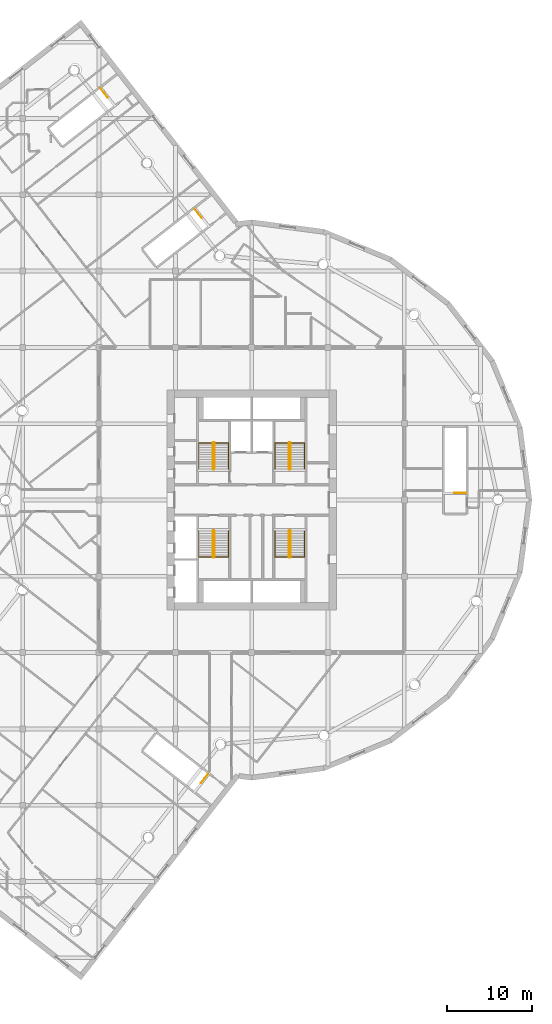
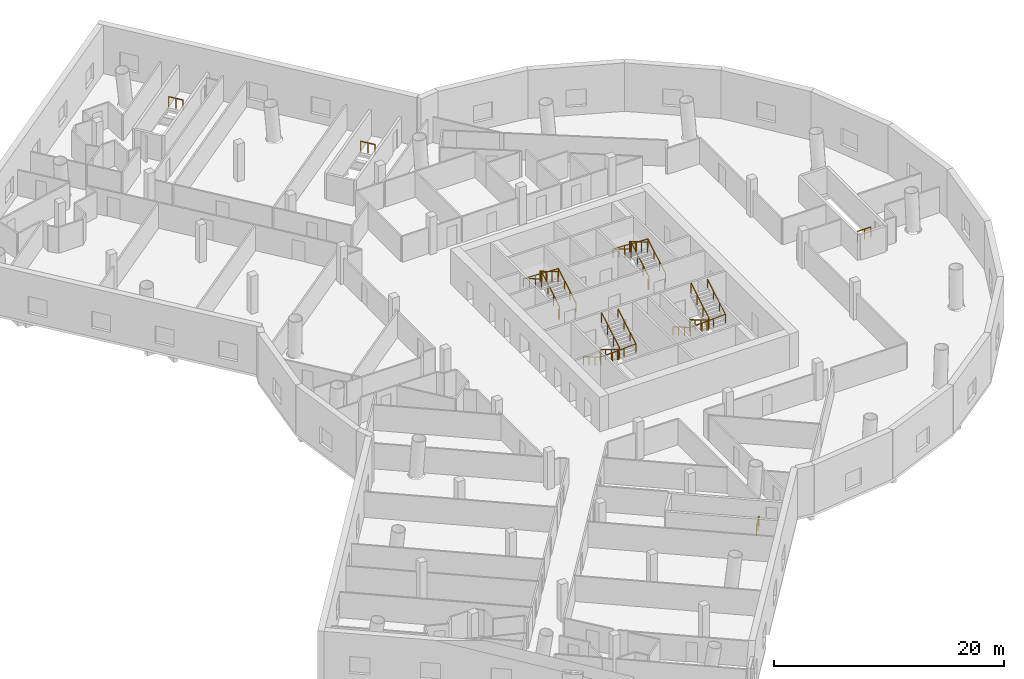
# One storey, part 15 of 15: 12 railings.
"""IFC4 building model written with IfcOpenShell, lengths in metres."""

from ifc_helpers import new_model, si_unit, direction, frame, origin, origin_2d, place, context, subcontext, project, spatial, circle, extrude, material, type_object, element, save


model = new_model("IFC4")

# Units and contexts
model_context = context("Model", 3, precision=1e-05, world=origin(), true_north=direction((0.0, 1.0)))
body_context = subcontext(model_context, "Body", "Model", "MODEL_VIEW")
ifc_project = project(units=[si_unit("LENGTHUNIT", "METRE"), si_unit("AREAUNIT", "SQUARE_METRE"), si_unit("VOLUMEUNIT", "CUBIC_METRE"), si_unit("PLANEANGLEUNIT", "RADIAN"), si_unit("MASSUNIT", "GRAM", prefix="KILO")], contexts=[model_context])

# Site, building, storey
site_placement = place(None, origin())
site = spatial("IfcSite", under=ifc_project, at=site_placement, CompositionType="ELEMENT")
building_placement = place(site_placement, origin())
building = spatial("IfcBuilding", under=site, at=building_placement, Name="Tarsis Ring Headquarters", CompositionType="ELEMENT")
storey_placement = place(building_placement, frame((0.0, 0.0, 30.0)))
storey = spatial("IfcBuildingStorey", under=building, at=storey_placement, Name="L05", CompositionType="ELEMENT", Elevation=30.0)

# Railings
ifc_material_1 = material(Name="Steel S355", Category="steel")
railing_type_1 = type_object("IfcRailingType", Name="Core stair guard 1100", PredefinedType="GUARDRAIL", material=ifc_material_1)
railing_1_placement = place(storey_placement, frame((-4.5400390625, 3.610107421875, 0.0)))
element("IfcRailing", 1, at=railing_1_placement, inside=storey, type_object=railing_type_1, Name="L05 ST1 stair guard 1", PredefinedType="GUARDRAIL", context=body_context, shape_type="SweptSolid", body=[
    extrude(circle(Radius=0.02392578125, at=origin_2d()), frame((0.0, 0.0, 1.076171875), z_axis=(1.0, 0.0, 0.0), x_axis=(0.0, 1.0, 0.0)), (0.0, 0.0, 1.0), 0.080078125),
    extrude(circle(Radius=0.02392578125, at=origin_2d()), frame((0.080078125, 0.0, 1.076171875), z_axis=(0.276389281352, 0.275041040955, 0.920848191041), x_axis=(-0.705375805398, 0.708833529934, 0.0)), (0.0, 0.0, 1.0), 0.18115234375),
    extrude(circle(Radius=0.02392578125, at=origin_2d()), frame((0.130126953125, 0.0498046875, 1.24267578125), z_axis=(0.0, 0.859308565015, 0.511457515432), x_axis=(-1.0, 0.0, 0.0)), (0.0, 0.0, 1.0), 3.58447265625),
    extrude(circle(Radius=0.02392578125, at=origin_2d()), frame((0.130126953125, 3.1298828125, 3.076171875), z_axis=(-0.707106781187, 0.707106781187, 0.0), x_axis=(-0.707106781187, -0.707106781187, 0.0)), (0.0, 0.0, 1.0), 0.07080078125),
    extrude(circle(Radius=0.02392578125, at=origin_2d()), frame((0.080078125, 3.179931640625, 3.076171875), z_axis=(-1.0, 0.0, 0.0), x_axis=(0.0, -1.0, 0.0)), (0.0, 0.0, 1.0), 0.080078125),
    extrude(circle(Radius=0.02392578125, at=origin_2d()), frame((0.0, 3.179931640625, 3.076171875), z_axis=(-0.27628659633, -0.27628659633, 0.920506074601), x_axis=(0.707106781187, -0.707106781187, 0.0)), (0.0, 0.0, 1.0), 0.18115234375),
    extrude(circle(Radius=0.02392578125, at=origin_2d()), frame((-0.050048828125, 3.1298828125, 3.24267578125), z_axis=(0.0, -0.859308565015, 0.511457515432), x_axis=(1.0, 0.0, 0.0)), (0.0, 0.0, 1.0), 3.58447265625),
    extrude(circle(Radius=0.02099609375, at=origin_2d()), origin(), (0.0, 0.0, 1.0), 1.052001953125),
    extrude(circle(Radius=0.02099609375, at=origin_2d()), frame((0.080078125, 0.0, 0.0)), (0.0, 0.0, 1.0), 1.052001953125),
    extrude(circle(Radius=0.02099609375, at=origin_2d()), frame((0.130126953125, 0.0498046875, 0.166748046875)), (0.0, 0.0, 1.0), 1.052001953125),
    extrude(circle(Radius=0.02099609375, at=origin_2d()), frame((0.130126953125, 1.076416015625, 0.77783203125)), (0.0, 0.0, 1.0), 1.052001953125),
    extrude(circle(Radius=0.02099609375, at=origin_2d()), frame((0.130126953125, 2.103271484375, 1.388916015625)), (0.0, 0.0, 1.0), 1.052001953125),
    extrude(circle(Radius=0.02099609375, at=origin_2d()), frame((0.130126953125, 3.1298828125, 2.0)), (0.0, 0.0, 1.0), 1.052001953125),
    extrude(circle(Radius=0.02099609375, at=origin_2d()), frame((0.080078125, 3.179931640625, 2.0)), (0.0, 0.0, 1.0), 1.052001953125),
    extrude(circle(Radius=0.02099609375, at=origin_2d()), frame((0.0, 3.179931640625, 2.0)), (0.0, 0.0, 1.0), 1.052001953125),
    extrude(circle(Radius=0.02099609375, at=origin_2d()), frame((-0.050048828125, 3.1298828125, 2.166748046875)), (0.0, 0.0, 1.0), 1.052001953125),
    extrude(circle(Radius=0.02099609375, at=origin_2d()), frame((-0.050048828125, 2.103271484375, 2.77783203125)), (0.0, 0.0, 1.0), 1.052001953125),
    extrude(circle(Radius=0.02099609375, at=origin_2d()), frame((-0.050048828125, 1.076416015625, 3.388916015625)), (0.0, 0.0, 1.0), 1.052001953125),
    extrude(circle(Radius=0.02099609375, at=origin_2d()), frame((-0.050048828125, 0.0498046875, 4.0)), (0.0, 0.0, 1.0), 1.052001953125),
])
railing_2_placement = place(storey_placement, frame((4.4599609375, 3.610107421875, 0.0)))
element("IfcRailing", 2, at=railing_2_placement, inside=storey, type_object=railing_type_1, Name="L05 ST2 stair guard 1", PredefinedType="GUARDRAIL", context=body_context, shape_type="SweptSolid", body=[
    extrude(circle(Radius=0.02392578125, at=origin_2d()), frame((0.0, 0.0, 1.076171875), z_axis=(1.0, 0.0, 0.0), x_axis=(0.0, 1.0, 0.0)), (0.0, 0.0, 1.0), 0.080078125),
    extrude(circle(Radius=0.02392578125, at=origin_2d()), frame((0.080078125, 0.0, 1.076171875), z_axis=(0.276389281352, 0.275041040955, 0.920848191041), x_axis=(-0.705375805398, 0.708833529934, 0.0)), (0.0, 0.0, 1.0), 0.18115234375),
    extrude(circle(Radius=0.02392578125, at=origin_2d()), frame((0.130126953125, 0.0498046875, 1.24267578125), z_axis=(0.0, 0.859308565015, 0.511457515432), x_axis=(-1.0, 0.0, 0.0)), (0.0, 0.0, 1.0), 3.58447265625),
    extrude(circle(Radius=0.02392578125, at=origin_2d()), frame((0.130126953125, 3.1298828125, 3.076171875), z_axis=(-0.707106781187, 0.707106781187, 0.0), x_axis=(-0.707106781187, -0.707106781187, 0.0)), (0.0, 0.0, 1.0), 0.07080078125),
    extrude(circle(Radius=0.02392578125, at=origin_2d()), frame((0.080078125, 3.179931640625, 3.076171875), z_axis=(-1.0, 0.0, 0.0), x_axis=(0.0, -1.0, 0.0)), (0.0, 0.0, 1.0), 0.080078125),
    extrude(circle(Radius=0.02392578125, at=origin_2d()), frame((0.0, 3.179931640625, 3.076171875), z_axis=(-0.27628659633, -0.27628659633, 0.920506074601), x_axis=(0.707106781187, -0.707106781187, 0.0)), (0.0, 0.0, 1.0), 0.18115234375),
    extrude(circle(Radius=0.02392578125, at=origin_2d()), frame((-0.050048828125, 3.1298828125, 3.24267578125), z_axis=(0.0, -0.859308565015, 0.511457515432), x_axis=(1.0, 0.0, 0.0)), (0.0, 0.0, 1.0), 3.58447265625),
    extrude(circle(Radius=0.02099609375, at=origin_2d()), origin(), (0.0, 0.0, 1.0), 1.052001953125),
    extrude(circle(Radius=0.02099609375, at=origin_2d()), frame((0.080078125, 0.0, 0.0)), (0.0, 0.0, 1.0), 1.052001953125),
    extrude(circle(Radius=0.02099609375, at=origin_2d()), frame((0.130126953125, 0.0498046875, 0.166748046875)), (0.0, 0.0, 1.0), 1.052001953125),
    extrude(circle(Radius=0.02099609375, at=origin_2d()), frame((0.130126953125, 1.076416015625, 0.77783203125)), (0.0, 0.0, 1.0), 1.052001953125),
    extrude(circle(Radius=0.02099609375, at=origin_2d()), frame((0.130126953125, 2.103271484375, 1.388916015625)), (0.0, 0.0, 1.0), 1.052001953125),
    extrude(circle(Radius=0.02099609375, at=origin_2d()), frame((0.130126953125, 3.1298828125, 2.0)), (0.0, 0.0, 1.0), 1.052001953125),
    extrude(circle(Radius=0.02099609375, at=origin_2d()), frame((0.080078125, 3.179931640625, 2.0)), (0.0, 0.0, 1.0), 1.052001953125),
    extrude(circle(Radius=0.02099609375, at=origin_2d()), frame((0.0, 3.179931640625, 2.0)), (0.0, 0.0, 1.0), 1.052001953125),
    extrude(circle(Radius=0.02099609375, at=origin_2d()), frame((-0.050048828125, 3.1298828125, 2.166748046875)), (0.0, 0.0, 1.0), 1.052001953125),
    extrude(circle(Radius=0.02099609375, at=origin_2d()), frame((-0.050048828125, 2.103271484375, 2.77783203125)), (0.0, 0.0, 1.0), 1.052001953125),
    extrude(circle(Radius=0.02099609375, at=origin_2d()), frame((-0.050048828125, 1.076416015625, 3.388916015625)), (0.0, 0.0, 1.0), 1.052001953125),
    extrude(circle(Radius=0.02099609375, at=origin_2d()), frame((-0.050048828125, 0.0498046875, 4.0)), (0.0, 0.0, 1.0), 1.052001953125),
])
railing_3_placement = place(storey_placement, frame((-4.4599609375, -3.610107421875, 0.0)))
element("IfcRailing", 3, at=railing_3_placement, inside=storey, type_object=railing_type_1, Name="L05 ST3 stair guard 1", PredefinedType="GUARDRAIL", context=body_context, shape_type="SweptSolid", body=[
    extrude(circle(Radius=0.02392578125, at=origin_2d()), frame((0.0, 0.0, 1.076171875), z_axis=(-1.0, 0.0, 0.0), x_axis=(0.0, -1.0, 0.0)), (0.0, 0.0, 1.0), 0.080078125),
    extrude(circle(Radius=0.02392578125, at=origin_2d()), frame((-0.080078125, 0.0, 1.076171875), z_axis=(-0.276389281352, -0.275041040955, 0.920848191041), x_axis=(0.705375805398, -0.708833529934, 0.0)), (0.0, 0.0, 1.0), 0.18115234375),
    extrude(circle(Radius=0.02392578125, at=origin_2d()), frame((-0.130126953125, -0.0498046875, 1.24267578125), z_axis=(0.0, -0.859308565015, 0.511457515432), x_axis=(1.0, 0.0, 0.0)), (0.0, 0.0, 1.0), 3.58447265625),
    extrude(circle(Radius=0.02392578125, at=origin_2d()), frame((-0.130126953125, -3.1298828125, 3.076171875), z_axis=(0.707106781187, -0.707106781187, 0.0), x_axis=(0.707106781187, 0.707106781187, 0.0)), (0.0, 0.0, 1.0), 0.07080078125),
    extrude(circle(Radius=0.02392578125, at=origin_2d()), frame((-0.080078125, -3.179931640625, 3.076171875), z_axis=(1.0, 0.0, 0.0), x_axis=(0.0, 1.0, 0.0)), (0.0, 0.0, 1.0), 0.080078125),
    extrude(circle(Radius=0.02392578125, at=origin_2d()), frame((0.0, -3.179931640625, 3.076171875), z_axis=(0.27628659633, 0.27628659633, 0.920506074601), x_axis=(-0.707106781187, 0.707106781187, 0.0)), (0.0, 0.0, 1.0), 0.18115234375),
    extrude(circle(Radius=0.02392578125, at=origin_2d()), frame((0.050048828125, -3.1298828125, 3.24267578125), z_axis=(0.0, 0.859308565015, 0.511457515432), x_axis=(-1.0, 0.0, 0.0)), (0.0, 0.0, 1.0), 3.58447265625),
    extrude(circle(Radius=0.02099609375, at=origin_2d()), origin(), (0.0, 0.0, 1.0), 1.052001953125),
    extrude(circle(Radius=0.02099609375, at=origin_2d()), frame((-0.080078125, 0.0, 0.0)), (0.0, 0.0, 1.0), 1.052001953125),
    extrude(circle(Radius=0.02099609375, at=origin_2d()), frame((-0.130126953125, -0.0498046875, 0.166748046875)), (0.0, 0.0, 1.0), 1.052001953125),
    extrude(circle(Radius=0.02099609375, at=origin_2d()), frame((-0.130126953125, -1.076416015625, 0.77783203125)), (0.0, 0.0, 1.0), 1.052001953125),
    extrude(circle(Radius=0.02099609375, at=origin_2d()), frame((-0.130126953125, -2.103271484375, 1.388916015625)), (0.0, 0.0, 1.0), 1.052001953125),
    extrude(circle(Radius=0.02099609375, at=origin_2d()), frame((-0.130126953125, -3.1298828125, 2.0)), (0.0, 0.0, 1.0), 1.052001953125),
    extrude(circle(Radius=0.02099609375, at=origin_2d()), frame((-0.080078125, -3.179931640625, 2.0)), (0.0, 0.0, 1.0), 1.052001953125),
    extrude(circle(Radius=0.02099609375, at=origin_2d()), frame((0.0, -3.179931640625, 2.0)), (0.0, 0.0, 1.0), 1.052001953125),
    extrude(circle(Radius=0.02099609375, at=origin_2d()), frame((0.050048828125, -3.1298828125, 2.166748046875)), (0.0, 0.0, 1.0), 1.052001953125),
    extrude(circle(Radius=0.02099609375, at=origin_2d()), frame((0.050048828125, -2.103271484375, 2.77783203125)), (0.0, 0.0, 1.0), 1.052001953125),
    extrude(circle(Radius=0.02099609375, at=origin_2d()), frame((0.050048828125, -1.076416015625, 3.388916015625)), (0.0, 0.0, 1.0), 1.052001953125),
    extrude(circle(Radius=0.02099609375, at=origin_2d()), frame((0.050048828125, -0.0498046875, 4.0)), (0.0, 0.0, 1.0), 1.052001953125),
])
railing_4_placement = place(storey_placement, frame((4.5400390625, -3.610107421875, 0.0)))
element("IfcRailing", 4, at=railing_4_placement, inside=storey, type_object=railing_type_1, Name="L05 ST4 stair guard 1", PredefinedType="GUARDRAIL", context=body_context, shape_type="SweptSolid", body=[
    extrude(circle(Radius=0.02392578125, at=origin_2d()), frame((0.0, 0.0, 1.076171875), z_axis=(-1.0, 0.0, 0.0), x_axis=(0.0, -1.0, 0.0)), (0.0, 0.0, 1.0), 0.080078125),
    extrude(circle(Radius=0.02392578125, at=origin_2d()), frame((-0.080078125, 0.0, 1.076171875), z_axis=(-0.276389281352, -0.275041040955, 0.920848191041), x_axis=(0.705375805398, -0.708833529934, 0.0)), (0.0, 0.0, 1.0), 0.18115234375),
    extrude(circle(Radius=0.02392578125, at=origin_2d()), frame((-0.130126953125, -0.0498046875, 1.24267578125), z_axis=(0.0, -0.859308565015, 0.511457515432), x_axis=(1.0, 0.0, 0.0)), (0.0, 0.0, 1.0), 3.58447265625),
    extrude(circle(Radius=0.02392578125, at=origin_2d()), frame((-0.130126953125, -3.1298828125, 3.076171875), z_axis=(0.707106781187, -0.707106781187, 0.0), x_axis=(0.707106781187, 0.707106781187, 0.0)), (0.0, 0.0, 1.0), 0.07080078125),
    extrude(circle(Radius=0.02392578125, at=origin_2d()), frame((-0.080078125, -3.179931640625, 3.076171875), z_axis=(1.0, 0.0, 0.0), x_axis=(0.0, 1.0, 0.0)), (0.0, 0.0, 1.0), 0.080078125),
    extrude(circle(Radius=0.02392578125, at=origin_2d()), frame((0.0, -3.179931640625, 3.076171875), z_axis=(0.27628659633, 0.27628659633, 0.920506074601), x_axis=(-0.707106781187, 0.707106781187, 0.0)), (0.0, 0.0, 1.0), 0.18115234375),
    extrude(circle(Radius=0.02392578125, at=origin_2d()), frame((0.050048828125, -3.1298828125, 3.24267578125), z_axis=(0.0, 0.859308565015, 0.511457515432), x_axis=(-1.0, 0.0, 0.0)), (0.0, 0.0, 1.0), 3.58447265625),
    extrude(circle(Radius=0.02099609375, at=origin_2d()), origin(), (0.0, 0.0, 1.0), 1.052001953125),
    extrude(circle(Radius=0.02099609375, at=origin_2d()), frame((-0.080078125, 0.0, 0.0)), (0.0, 0.0, 1.0), 1.052001953125),
    extrude(circle(Radius=0.02099609375, at=origin_2d()), frame((-0.130126953125, -0.0498046875, 0.166748046875)), (0.0, 0.0, 1.0), 1.052001953125),
    extrude(circle(Radius=0.02099609375, at=origin_2d()), frame((-0.130126953125, -1.076416015625, 0.77783203125)), (0.0, 0.0, 1.0), 1.052001953125),
    extrude(circle(Radius=0.02099609375, at=origin_2d()), frame((-0.130126953125, -2.103271484375, 1.388916015625)), (0.0, 0.0, 1.0), 1.052001953125),
    extrude(circle(Radius=0.02099609375, at=origin_2d()), frame((-0.130126953125, -3.1298828125, 2.0)), (0.0, 0.0, 1.0), 1.052001953125),
    extrude(circle(Radius=0.02099609375, at=origin_2d()), frame((-0.080078125, -3.179931640625, 2.0)), (0.0, 0.0, 1.0), 1.052001953125),
    extrude(circle(Radius=0.02099609375, at=origin_2d()), frame((0.0, -3.179931640625, 2.0)), (0.0, 0.0, 1.0), 1.052001953125),
    extrude(circle(Radius=0.02099609375, at=origin_2d()), frame((0.050048828125, -3.1298828125, 2.166748046875)), (0.0, 0.0, 1.0), 1.052001953125),
    extrude(circle(Radius=0.02099609375, at=origin_2d()), frame((0.050048828125, -2.103271484375, 2.77783203125)), (0.0, 0.0, 1.0), 1.052001953125),
    extrude(circle(Radius=0.02099609375, at=origin_2d()), frame((0.050048828125, -1.076416015625, 3.388916015625)), (0.0, 0.0, 1.0), 1.052001953125),
    extrude(circle(Radius=0.02099609375, at=origin_2d()), frame((0.050048828125, -0.0498046875, 4.0)), (0.0, 0.0, 1.0), 1.052001953125),
])
railing_type_2 = type_object("IfcRailingType", Name="Core stair handrail 900", PredefinedType="HANDRAIL", material=ifc_material_1)
railing_5_placement = place(storey_placement, frame((-2.75, 3.659912109375, 0.166748046875)))
element("IfcRailing", 5, at=railing_5_placement, inside=storey, type_object=railing_type_2, Name="L05 ST1 stair handrail 1", PredefinedType="HANDRAIL", context=body_context, shape_type="SweptSolid", body=[
    extrude(circle(Radius=0.02392578125, at=origin_2d()), frame((0.0, 0.0, 0.8759765625), z_axis=(0.0, 0.859308565015, 0.511457515432), x_axis=(-1.0, 0.0, 0.0)), (0.0, 0.0, 1.0), 3.58447265625),
    extrude(circle(Radius=0.02392578125, at=origin_2d()), frame((0.0, 3.080078125, 2.708984375), z_axis=(-0.998867033999, 0.0, 0.047588322002), x_axis=(0.0, -1.0, 0.0)), (0.0, 0.0, 1.0), 3.50390625),
    extrude(circle(Radius=0.02392578125, at=origin_2d()), frame((-3.5, 3.080078125, 2.8759765625), z_axis=(0.0, -0.859308565015, 0.511457515432), x_axis=(1.0, 0.0, 0.0)), (0.0, 0.0, 1.0), 3.58447265625),
    extrude(circle(Radius=0.02099609375, at=origin_2d()), origin(), (0.0, 0.0, 1.0), 0.851806640625),
    extrude(circle(Radius=0.02099609375, at=origin_2d()), frame((0.0, 1.026611328125, 0.611083984375)), (0.0, 0.0, 1.0), 0.851806640625),
    extrude(circle(Radius=0.02099609375, at=origin_2d()), frame((0.0, 2.053466796875, 1.22216796875)), (0.0, 0.0, 1.0), 0.851806640625),
    extrude(circle(Radius=0.02099609375, at=origin_2d()), frame((0.0, 3.080078125, 1.833251953125)), (0.0, 0.0, 1.0), 0.851806640625),
    extrude(circle(Radius=0.02099609375, at=origin_2d()), frame((-1.166748046875, 3.080078125, 1.888916015625)), (0.0, 0.0, 1.0), 0.851806640625),
    extrude(circle(Radius=0.02099609375, at=origin_2d()), frame((-2.333251953125, 3.080078125, 1.9443359375)), (0.0, 0.0, 1.0), 0.851806640625),
    extrude(circle(Radius=0.02099609375, at=origin_2d()), frame((-3.5, 3.080078125, 2.0)), (0.0, 0.0, 1.0), 0.851806640625),
    extrude(circle(Radius=0.02099609375, at=origin_2d()), frame((-3.5, 2.053466796875, 2.611083984375)), (0.0, 0.0, 1.0), 0.851806640625),
    extrude(circle(Radius=0.02099609375, at=origin_2d()), frame((-3.5, 1.026611328125, 3.22216796875)), (0.0, 0.0, 1.0), 0.851806640625),
    extrude(circle(Radius=0.02099609375, at=origin_2d()), frame((-3.5, 0.0, 3.833251953125)), (0.0, 0.0, 1.0), 0.851806640625),
])
railing_6_placement = place(storey_placement, frame((6.25, 3.659912109375, 0.166748046875)))
element("IfcRailing", 6, at=railing_6_placement, inside=storey, type_object=railing_type_2, Name="L05 ST2 stair handrail 1", PredefinedType="HANDRAIL", context=body_context, shape_type="SweptSolid", body=[
    extrude(circle(Radius=0.02392578125, at=origin_2d()), frame((0.0, 0.0, 0.8759765625), z_axis=(0.0, 0.859308565015, 0.511457515432), x_axis=(-1.0, 0.0, 0.0)), (0.0, 0.0, 1.0), 3.58447265625),
    extrude(circle(Radius=0.02392578125, at=origin_2d()), frame((0.0, 3.080078125, 2.708984375), z_axis=(-0.998867033999, 0.0, 0.047588322002), x_axis=(0.0, -1.0, 0.0)), (0.0, 0.0, 1.0), 3.50390625),
    extrude(circle(Radius=0.02392578125, at=origin_2d()), frame((-3.5, 3.080078125, 2.8759765625), z_axis=(0.0, -0.859308565015, 0.511457515432), x_axis=(1.0, 0.0, 0.0)), (0.0, 0.0, 1.0), 3.58447265625),
    extrude(circle(Radius=0.02099609375, at=origin_2d()), origin(), (0.0, 0.0, 1.0), 0.851806640625),
    extrude(circle(Radius=0.02099609375, at=origin_2d()), frame((0.0, 1.026611328125, 0.611083984375)), (0.0, 0.0, 1.0), 0.851806640625),
    extrude(circle(Radius=0.02099609375, at=origin_2d()), frame((0.0, 2.053466796875, 1.22216796875)), (0.0, 0.0, 1.0), 0.851806640625),
    extrude(circle(Radius=0.02099609375, at=origin_2d()), frame((0.0, 3.080078125, 1.833251953125)), (0.0, 0.0, 1.0), 0.851806640625),
    extrude(circle(Radius=0.02099609375, at=origin_2d()), frame((-1.166748046875, 3.080078125, 1.888916015625)), (0.0, 0.0, 1.0), 0.851806640625),
    extrude(circle(Radius=0.02099609375, at=origin_2d()), frame((-2.333251953125, 3.080078125, 1.9443359375)), (0.0, 0.0, 1.0), 0.851806640625),
    extrude(circle(Radius=0.02099609375, at=origin_2d()), frame((-3.5, 3.080078125, 2.0)), (0.0, 0.0, 1.0), 0.851806640625),
    extrude(circle(Radius=0.02099609375, at=origin_2d()), frame((-3.5, 2.053466796875, 2.611083984375)), (0.0, 0.0, 1.0), 0.851806640625),
    extrude(circle(Radius=0.02099609375, at=origin_2d()), frame((-3.5, 1.026611328125, 3.22216796875)), (0.0, 0.0, 1.0), 0.851806640625),
    extrude(circle(Radius=0.02099609375, at=origin_2d()), frame((-3.5, 0.0, 3.833251953125)), (0.0, 0.0, 1.0), 0.851806640625),
])
railing_7_placement = place(storey_placement, frame((-6.25, -3.659912109375, 0.166748046875)))
element("IfcRailing", 7, at=railing_7_placement, inside=storey, type_object=railing_type_2, Name="L05 ST3 stair handrail 1", PredefinedType="HANDRAIL", context=body_context, shape_type="SweptSolid", body=[
    extrude(circle(Radius=0.02392578125, at=origin_2d()), frame((0.0, 0.0, 0.8759765625), z_axis=(0.0, -0.859308565015, 0.511457515432), x_axis=(1.0, 0.0, 0.0)), (0.0, 0.0, 1.0), 3.58447265625),
    extrude(circle(Radius=0.02392578125, at=origin_2d()), frame((0.0, -3.080078125, 2.708984375), z_axis=(0.998867033999, 0.0, 0.047588322002), x_axis=(0.0, 1.0, 0.0)), (0.0, 0.0, 1.0), 3.50390625),
    extrude(circle(Radius=0.02392578125, at=origin_2d()), frame((3.5, -3.080078125, 2.8759765625), z_axis=(0.0, 0.859308565015, 0.511457515432), x_axis=(-1.0, 0.0, 0.0)), (0.0, 0.0, 1.0), 3.58447265625),
    extrude(circle(Radius=0.02099609375, at=origin_2d()), origin(), (0.0, 0.0, 1.0), 0.851806640625),
    extrude(circle(Radius=0.02099609375, at=origin_2d()), frame((0.0, -1.026611328125, 0.611083984375)), (0.0, 0.0, 1.0), 0.851806640625),
    extrude(circle(Radius=0.02099609375, at=origin_2d()), frame((0.0, -2.053466796875, 1.22216796875)), (0.0, 0.0, 1.0), 0.851806640625),
    extrude(circle(Radius=0.02099609375, at=origin_2d()), frame((0.0, -3.080078125, 1.833251953125)), (0.0, 0.0, 1.0), 0.851806640625),
    extrude(circle(Radius=0.02099609375, at=origin_2d()), frame((1.166748046875, -3.080078125, 1.888916015625)), (0.0, 0.0, 1.0), 0.851806640625),
    extrude(circle(Radius=0.02099609375, at=origin_2d()), frame((2.333251953125, -3.080078125, 1.9443359375)), (0.0, 0.0, 1.0), 0.851806640625),
    extrude(circle(Radius=0.02099609375, at=origin_2d()), frame((3.5, -3.080078125, 2.0)), (0.0, 0.0, 1.0), 0.851806640625),
    extrude(circle(Radius=0.02099609375, at=origin_2d()), frame((3.5, -2.053466796875, 2.611083984375)), (0.0, 0.0, 1.0), 0.851806640625),
    extrude(circle(Radius=0.02099609375, at=origin_2d()), frame((3.5, -1.026611328125, 3.22216796875)), (0.0, 0.0, 1.0), 0.851806640625),
    extrude(circle(Radius=0.02099609375, at=origin_2d()), frame((3.5, 0.0, 3.833251953125)), (0.0, 0.0, 1.0), 0.851806640625),
])
railing_8_placement = place(storey_placement, frame((2.75, -3.659912109375, 0.166748046875)))
element("IfcRailing", 8, at=railing_8_placement, inside=storey, type_object=railing_type_2, Name="L05 ST4 stair handrail 1", PredefinedType="HANDRAIL", context=body_context, shape_type="SweptSolid", body=[
    extrude(circle(Radius=0.02392578125, at=origin_2d()), frame((0.0, 0.0, 0.8759765625), z_axis=(0.0, -0.859308565015, 0.511457515432), x_axis=(1.0, 0.0, 0.0)), (0.0, 0.0, 1.0), 3.58447265625),
    extrude(circle(Radius=0.02392578125, at=origin_2d()), frame((0.0, -3.080078125, 2.708984375), z_axis=(0.998867033999, 0.0, 0.047588322002), x_axis=(0.0, 1.0, 0.0)), (0.0, 0.0, 1.0), 3.50390625),
    extrude(circle(Radius=0.02392578125, at=origin_2d()), frame((3.5, -3.080078125, 2.8759765625), z_axis=(0.0, 0.859308565015, 0.511457515432), x_axis=(-1.0, 0.0, 0.0)), (0.0, 0.0, 1.0), 3.58447265625),
    extrude(circle(Radius=0.02099609375, at=origin_2d()), origin(), (0.0, 0.0, 1.0), 0.851806640625),
    extrude(circle(Radius=0.02099609375, at=origin_2d()), frame((0.0, -1.026611328125, 0.611083984375)), (0.0, 0.0, 1.0), 0.851806640625),
    extrude(circle(Radius=0.02099609375, at=origin_2d()), frame((0.0, -2.053466796875, 1.22216796875)), (0.0, 0.0, 1.0), 0.851806640625),
    extrude(circle(Radius=0.02099609375, at=origin_2d()), frame((0.0, -3.080078125, 1.833251953125)), (0.0, 0.0, 1.0), 0.851806640625),
    extrude(circle(Radius=0.02099609375, at=origin_2d()), frame((1.166748046875, -3.080078125, 1.888916015625)), (0.0, 0.0, 1.0), 0.851806640625),
    extrude(circle(Radius=0.02099609375, at=origin_2d()), frame((2.333251953125, -3.080078125, 1.9443359375)), (0.0, 0.0, 1.0), 0.851806640625),
    extrude(circle(Radius=0.02099609375, at=origin_2d()), frame((3.5, -3.080078125, 2.0)), (0.0, 0.0, 1.0), 0.851806640625),
    extrude(circle(Radius=0.02099609375, at=origin_2d()), frame((3.5, -2.053466796875, 2.611083984375)), (0.0, 0.0, 1.0), 0.851806640625),
    extrude(circle(Radius=0.02099609375, at=origin_2d()), frame((3.5, -1.026611328125, 3.22216796875)), (0.0, 0.0, 1.0), 0.851806640625),
    extrude(circle(Radius=0.02099609375, at=origin_2d()), frame((3.5, 0.0, 3.833251953125)), (0.0, 0.0, 1.0), 0.851806640625),
])
ifc_material_2 = material(Name="Stainless steel", Category="steel")
railing_type_3 = type_object("IfcRailingType", Name="PO-RL-G", PredefinedType="GUARDRAIL", material=ifc_material_2)
railing_9_placement = place(storey_placement, frame((25.27490234375, 0.830078125, 0.0)))
element("IfcRailing", 9, at=railing_9_placement, inside=storey, type_object=railing_type_3, Name="L05 PS1 top well guard 1", PredefinedType="GUARDRAIL", context=body_context, shape_type="SweptSolid", body=[
    extrude(circle(Radius=0.02392578125, at=origin_2d()), frame((0.0, 0.0, 1.076171875), z_axis=(-1.0, 0.0, 0.0), x_axis=(0.0, -1.0, 0.0)), (0.0, 0.0, 1.0), 1.349853515625),
    extrude(circle(Radius=0.02099609375, at=origin_2d()), origin(), (0.0, 0.0, 1.0), 1.052001953125),
    extrude(circle(Radius=0.02099609375, at=origin_2d()), frame((-0.6748046875, 0.0, 0.0)), (0.0, 0.0, 1.0), 1.052001953125),
    extrude(circle(Radius=0.02099609375, at=origin_2d()), frame((-1.349853515625, 0.0, 0.0)), (0.0, 0.0, 1.0), 1.052001953125),
])
railing_10_placement = place(storey_placement, frame((-5.1484375, -32.32666015625, 0.0)))
element("IfcRailing", 10, at=railing_10_placement, inside=storey, type_object=railing_type_3, Name="L05 PS2 top well guard 1", PredefinedType="GUARDRAIL", context=body_context, shape_type="SweptSolid", body=[
    extrude(circle(Radius=0.02392578125, at=origin_2d()), frame((0.0, 0.0, 1.076171875), z_axis=(-0.615366781352, -0.788240905059, 0.0), x_axis=(0.788240905059, -0.615366781352, 0.0)), (0.0, 0.0, 1.0), 1.35009765625),
    extrude(circle(Radius=0.02099609375, at=origin_2d()), origin(), (0.0, 0.0, 1.0), 1.052001953125),
    extrude(circle(Radius=0.02099609375, at=origin_2d()), frame((-0.41552734375, -0.5322265625, 0.0)), (0.0, 0.0, 1.0), 1.052001953125),
    extrude(circle(Radius=0.02099609375, at=origin_2d()), frame((-0.830810546875, -1.064208984375, 0.0)), (0.0, 0.0, 1.0), 1.052001953125),
])
railing_11_placement = place(storey_placement, frame((-6.717529296875, 34.336669921875, 0.0)))
element("IfcRailing", 11, at=railing_11_placement, inside=storey, type_object=railing_type_3, Name="L05 PS3 top well guard 1", PredefinedType="GUARDRAIL", context=body_context, shape_type="SweptSolid", body=[
    extrude(circle(Radius=0.02392578125, at=origin_2d()), frame((0.0, 0.0, 1.076171875), z_axis=(0.615342133641, -0.788260146504, 0.0), x_axis=(0.788260146504, 0.615342133641, 0.0)), (0.0, 0.0, 1.0), 1.349853515625),
    extrude(circle(Radius=0.02099609375, at=origin_2d()), origin(), (0.0, 0.0, 1.0), 1.052001953125),
    extrude(circle(Radius=0.02099609375, at=origin_2d()), frame((0.415283203125, -0.531982421875, 0.0)), (0.0, 0.0, 1.0), 1.052001953125),
    extrude(circle(Radius=0.02099609375, at=origin_2d()), frame((0.83056640625, -1.06396484375, 0.0)), (0.0, 0.0, 1.0), 1.052001953125),
])
railing_12_placement = place(storey_placement, frame((-17.817626953125, 48.556884765625, 0.0)))
element("IfcRailing", 12, at=railing_12_placement, inside=storey, type_object=railing_type_3, Name="L05 PS4 top well guard 1", PredefinedType="GUARDRAIL", context=body_context, shape_type="SweptSolid", body=[
    extrude(circle(Radius=0.02392578125, at=origin_2d()), frame((0.0, 0.0, 1.076171875), z_axis=(0.615366781352, -0.788240905059, 0.0), x_axis=(0.788240905059, 0.615366781352, 0.0)), (0.0, 0.0, 1.0), 1.35009765625),
    extrude(circle(Radius=0.02099609375, at=origin_2d()), origin(), (0.0, 0.0, 1.0), 1.052001953125),
    extrude(circle(Radius=0.02099609375, at=origin_2d()), frame((0.41552734375, -0.5322265625, 0.0)), (0.0, 0.0, 1.0), 1.052001953125),
    extrude(circle(Radius=0.02099609375, at=origin_2d()), frame((0.830810546875, -1.064208984375, 0.0)), (0.0, 0.0, 1.0), 1.052001953125),
])

save(model, "model.ifc")
